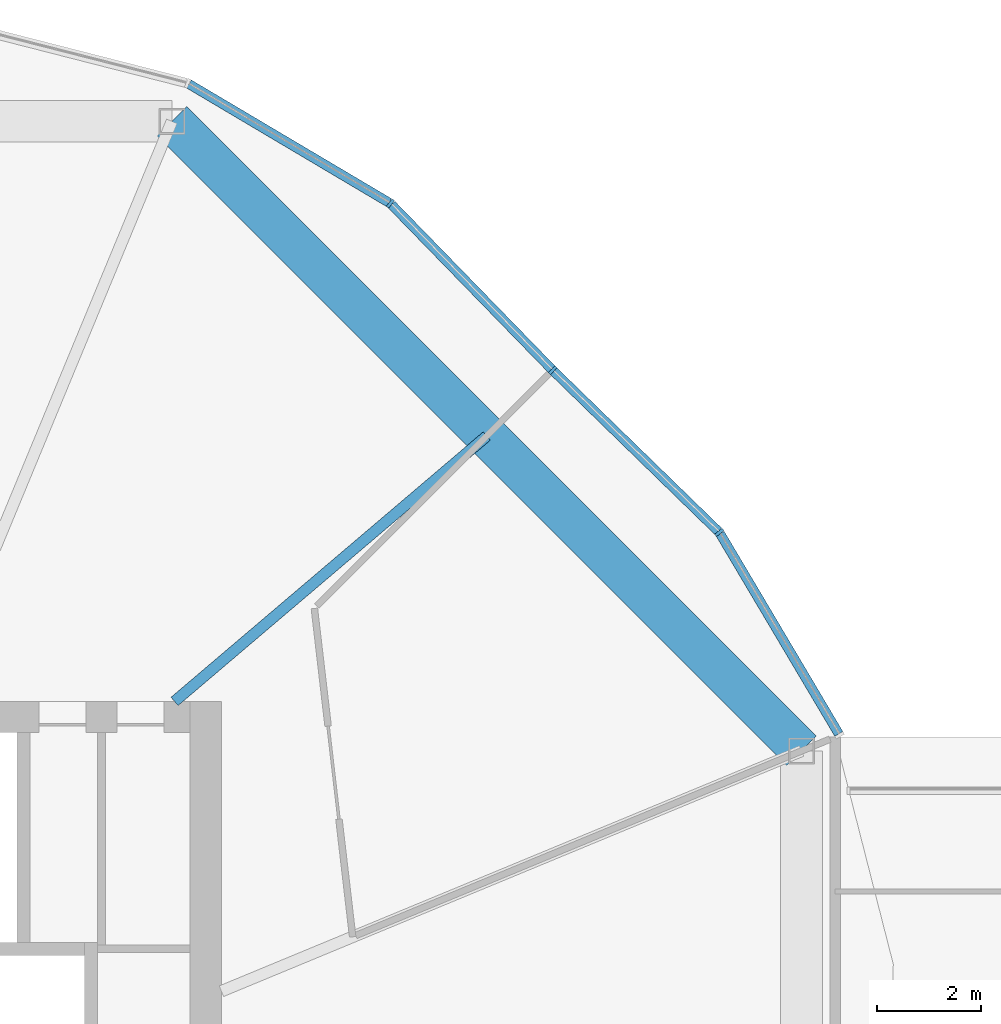
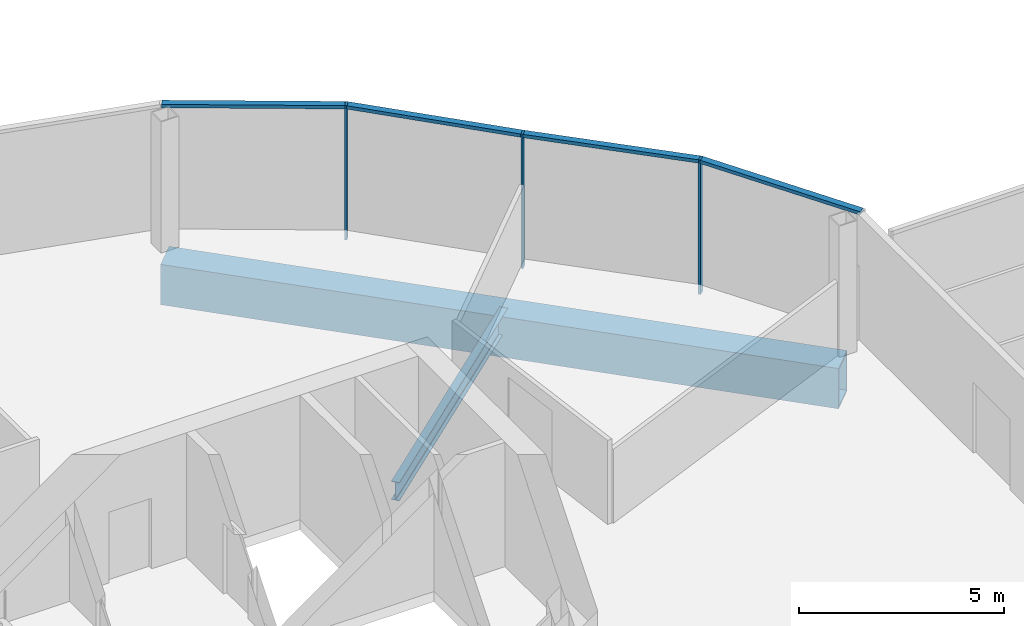
# One storey, part 10 of 26: 7 members, 2 beams, 2 elements without a shape of their own.
"""IFC4 building model written with IfcOpenShell, lengths in metres."""

from ifc_helpers import new_model, si_unit, direction, frame, origin, origin_2d, place, context, subcontext, project, spatial, rectangle, hollow_rectangle, i_section, extrude, material, material_profile, profile_set, type_object, element, aggregate, save


model = new_model("IFC4")

# Units and contexts
model_context = context("Model", 3, precision=1e-05, world=origin(), true_north=direction((0.0, 1.0)))
body_context = subcontext(model_context, "Body", "Model", "MODEL_VIEW")
ifc_project = project(units=[si_unit("LENGTHUNIT", "METRE"), si_unit("AREAUNIT", "SQUARE_METRE"), si_unit("VOLUMEUNIT", "CUBIC_METRE"), si_unit("PLANEANGLEUNIT", "RADIAN"), si_unit("MASSUNIT", "GRAM", prefix="KILO")], contexts=[model_context])

# Site, building, storey
site_placement = place(None, origin())
site = spatial("IfcSite", under=ifc_project, at=site_placement, CompositionType="ELEMENT")
building_placement = place(site_placement, origin())
building = spatial("IfcBuilding", under=site, at=building_placement, Name="Ogive Gate Towers", CompositionType="ELEMENT")
storey_placement = place(building_placement, frame((0.0, 0.0, 156.800048828125)))
storey = spatial("IfcBuildingStorey", under=building, at=storey_placement, Name="L37", CompositionType="ELEMENT", Elevation=156.800048828125)

# Beams
ifc_material_1 = material(Name="Steel SM460", Category="steel")
ifc_material_profile_1 = material_profile(ifc_material_1, hollow_rectangle(XDim=0.800048828125, YDim=1.199951171875, WallThickness=0.050048828125, at=origin_2d()), Name="BX 1200x800x50")
ifc_profile_set_1 = profile_set([ifc_material_profile_1], Name="Steel SM460")
beam_type_1 = type_object("IfcBeamType", Name="Edge girder BX 1200x800x50", PredefinedType="BEAM", material=ifc_profile_set_1)
beam_1_placement = place(storey_placement, frame((-15.360595703125, 8.549072265625, -0.900146484375), z_axis=(-0.707106781187, 0.707106781187, 0.0), x_axis=(-0.707106781187, -0.707106781187, 0.0)))
element("IfcBeam", 1, at=beam_1_placement, inside=storey, type_object=beam_type_1, Name="T1/L37/SBM021", PredefinedType="BEAM", context=body_context, shape_type="SweptSolid", body=[
    extrude(hollow_rectangle(XDim=0.800048828125, YDim=1.199951171875, WallThickness=0.050048828125, at=origin_2d()), origin(), (0.0, 0.0, 1.0), 17.098388671875),
])
ifc_material_2 = material(Name="Steel SM355", Category="steel")
ifc_material_profile_2 = material_profile(ifc_material_2, i_section(OverallWidth=0.2099609375, OverallDepth=0.550048828125, WebThickness=0.010986328125, FlangeThickness=0.01708984375, FilletRadius=0.02392578125, at=origin_2d()), Name="IPE 550")
ifc_profile_set_2 = profile_set([ifc_material_profile_2], Name="Steel SM355")
beam_type_2 = type_object("IfcBeamType", Name="Radial floor beam IPE 550", PredefinedType="BEAM", material=ifc_profile_set_2)
beam_2_placement = place(storey_placement, frame((-27.39990234375, 9.5, -0.574951171875), z_axis=(0.761988324045, 0.647590761222, 0.0), x_axis=(-0.647590761222, 0.761988324045, 0.0)))
element("IfcBeam", 2, at=beam_2_placement, inside=storey, type_object=beam_type_2, Name="T1/L37/SBM010", PredefinedType="BEAM", context=body_context, shape_type="SweptSolid", body=[
    extrude(i_section(OverallWidth=0.2099609375, OverallDepth=0.550048828125, WebThickness=0.010986328125, FlangeThickness=0.01708984375, FilletRadius=0.02392578125, at=origin_2d()), origin(), (0.0, 0.0, 1.0), 7.866455078125),
])

# Curtain wall, members
ifc_material_3 = material(Name="Pale metal aluminium", Category="aluminium")
curtain_wall_type = type_object("IfcCurtainWallType", Name="Tower unitised wall, high zone", PredefinedType="NOTDEFINED", material=ifc_material_3)
curtain_wall_1_placement = place(storey_placement, origin())
curtain_wall_1 = element("IfcCurtainWall", 3, at=curtain_wall_1_placement, inside=storey, type_object=curtain_wall_type, Name="CW2 T1 ECW01", PredefinedType="NOTDEFINED")
ifc_material_profile_3 = material_profile(ifc_material_3, rectangle(XDim=0.179931640625, YDim=0.06005859375, at=origin_2d()), Name="60 x 180 aluminium box")
ifc_profile_set_3 = profile_set([ifc_material_profile_3], Name="Pale metal aluminium")
member_type_1 = type_object("IfcMemberType", Name="Tower unitised wall, high zone mullion 60 x 180", PredefinedType="MULLION", material=ifc_profile_set_3)
member_1_placement = place(storey_placement, frame((-16.93798828125, 12.745361328125, -0.300048828125), z_axis=(0.0, 0.0, 1.0), x_axis=(0.785619383472, 0.618710097148, 0.0)))
member_1 = element("IfcMember", 4, at=member_1_placement, type_object=member_type_1, Name="CW2 mullion", PredefinedType="MULLION", context=body_context, shape_type="SweptSolid", body=[
    extrude(rectangle(XDim=0.179931640625, YDim=0.06005859375, at=origin_2d()), origin(), (0.0, 0.0, 1.0), 4.0),
])
member_2_placement = place(storey_placement, frame((-20.139404296875, 15.8603515625, -0.300048828125), z_axis=(0.0, 0.0, 1.0), x_axis=(0.697352765719, 0.716728065687, 0.0)))
member_2 = element("IfcMember", 5, at=member_2_placement, type_object=member_type_1, Name="CW2 mullion", PredefinedType="MULLION", context=body_context, shape_type="SweptSolid", body=[
    extrude(rectangle(XDim=0.179931640625, YDim=0.06005859375, at=origin_2d()), origin(), (0.0, 0.0, 1.0), 4.0),
])

# Curtain wall, member
curtain_wall_2_placement = place(storey_placement, origin())
curtain_wall_2 = element("IfcCurtainWall", 6, at=curtain_wall_2_placement, inside=storey, type_object=curtain_wall_type, Name="CW2 T1 ECW02", PredefinedType="NOTDEFINED")
member_3_placement = place(storey_placement, frame((-23.254638671875, 19.06201171875, -0.300048828125), z_axis=(0.0, 0.0, 1.0), x_axis=(0.618710097148, 0.785619383472, 0.0)))
member_3 = element("IfcMember", 7, at=member_3_placement, type_object=member_type_1, Name="CW2 mullion", PredefinedType="MULLION", context=body_context, shape_type="SweptSolid", body=[
    extrude(rectangle(XDim=0.179931640625, YDim=0.06005859375, at=origin_2d()), origin(), (0.0, 0.0, 1.0), 4.0),
])

# Member
ifc_material_profile_4 = material_profile(ifc_material_3, rectangle(XDim=0.179931640625, YDim=0.10009765625, at=origin_2d()), Name="100 x 180 aluminium box")
ifc_profile_set_4 = profile_set([ifc_material_profile_4], Name="Pale metal aluminium")
member_type_2 = type_object("IfcMemberType", Name="Tower unitised wall, high zone transom 100 x 180", PredefinedType="USERDEFINED", material=ifc_profile_set_4)
member_4_placement = place(storey_placement, frame((-14.644287109375, 8.87646484375, 3.64990234375), z_axis=(-0.50996560384, 0.860194793579, 0.0), x_axis=(-0.860194793579, -0.50996560384, 0.0)))
member_4 = element("IfcMember", 8, at=member_4_placement, type_object=member_type_2, Name="CW2 transom", ObjectType="TRANSOM", PredefinedType="USERDEFINED", context=body_context, shape_type="SweptSolid", body=[
    extrude(rectangle(XDim=0.179931640625, YDim=0.10009765625, at=origin_2d()), origin(), (0.0, 0.0, 1.0), 4.468994140625),
])

member_5_placement = place(storey_placement, frame((-16.95849609375, 12.765380859375, 3.64990234375), z_axis=(-0.716732664318, 0.697348039288, 0.0), x_axis=(-0.697348039288, -0.716732664318, 0.0)))
member_5 = element("IfcMember", 9, at=member_5_placement, type_object=member_type_2, Name="CW2 transom", ObjectType="TRANSOM", PredefinedType="USERDEFINED", context=body_context, shape_type="SweptSolid", body=[
    extrude(rectangle(XDim=0.179931640625, YDim=0.10009765625, at=origin_2d()), origin(), (0.0, 0.0, 1.0), 4.408203125),
])

aggregate(curtain_wall_1, [member_1, member_4, member_2, member_5])

member_6_placement = place(storey_placement, frame((-20.16064453125, 15.882080078125, 3.64990234375), z_axis=(-0.697348039288, 0.716732664318, 0.0), x_axis=(-0.716732664318, -0.697348039288, 0.0)))
member_6 = element("IfcMember", 10, at=member_6_placement, type_object=member_type_2, Name="CW2 transom", ObjectType="TRANSOM", PredefinedType="USERDEFINED", context=body_context, shape_type="SweptSolid", body=[
    extrude(rectangle(XDim=0.179931640625, YDim=0.10009765625, at=origin_2d()), origin(), (0.0, 0.0, 1.0), 4.408203125),
])

member_7_placement = place(storey_placement, frame((-23.279296875, 19.07666015625, 3.64990234375), z_axis=(-0.860194793579, 0.50996560384, 0.0), x_axis=(-0.50996560384, -0.860194793579, 0.0)))
member_7 = element("IfcMember", 11, at=member_7_placement, type_object=member_type_2, Name="CW2 transom", ObjectType="TRANSOM", PredefinedType="USERDEFINED", context=body_context, shape_type="SweptSolid", body=[
    extrude(rectangle(XDim=0.179931640625, YDim=0.10009765625, at=origin_2d()), origin(), (0.0, 0.0, 1.0), 4.468994140625),
])

aggregate(curtain_wall_2, [member_3, member_6, member_7])

save(model, "model.ifc")
